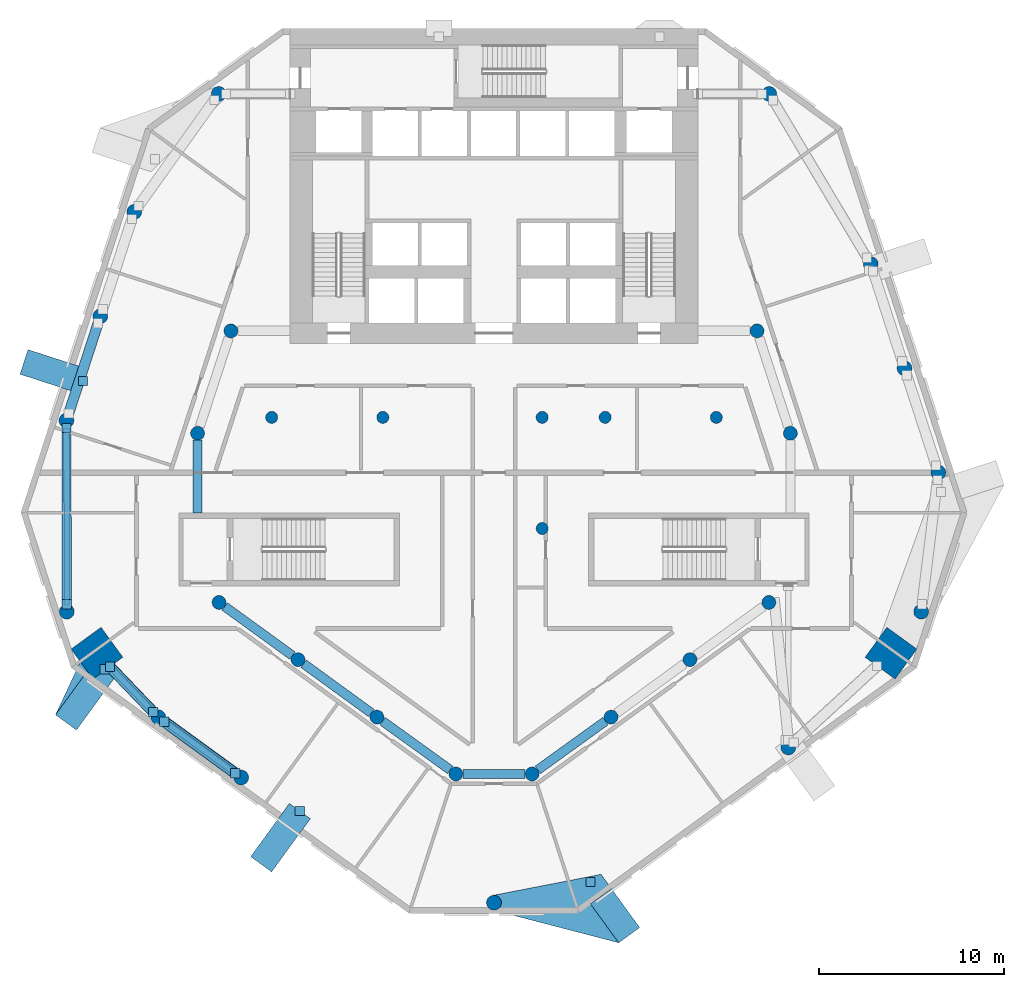
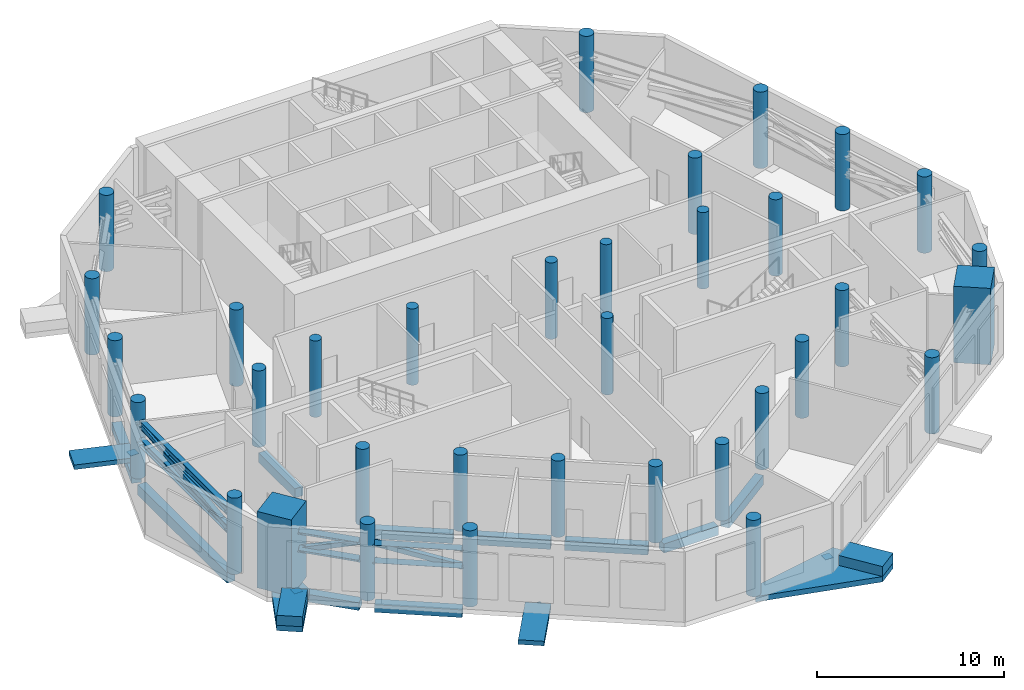
# One storey, part 1 of 15: 34 columns, 16 discrete accessories, 15 members, 10 beams.
"""IFC4 building model written with IfcOpenShell, lengths in metres."""

from ifc_helpers import new_model, si_unit, direction, frame, origin, origin_2d, place, context, subcontext, project, spatial, polyline, rectangle, hollow_rectangle, circle, i_section, outline, extrude, material, layer, layer_set, material_profile, profile_set, type_object, element, aggregate, save


model = new_model("IFC4")

# Units and contexts
model_context = context("Model", 3, precision=1e-05, world=origin(), true_north=direction((0.0, 1.0)))
body_context = subcontext(model_context, "Body", "Model", "MODEL_VIEW")
ifc_project = project(units=[si_unit("LENGTHUNIT", "METRE"), si_unit("AREAUNIT", "SQUARE_METRE"), si_unit("VOLUMEUNIT", "CUBIC_METRE"), si_unit("PLANEANGLEUNIT", "RADIAN"), si_unit("MASSUNIT", "GRAM", prefix="KILO")], contexts=[model_context])

# Site, building, storey
site_placement = place(None, origin())
site = spatial("IfcSite", under=ifc_project, at=site_placement, CompositionType="ELEMENT")
building_placement = place(site_placement, origin())
building = spatial("IfcBuilding", under=site, at=building_placement, Name="White Candle Pilgrim Tower", CompositionType="ELEMENT")
storey_placement = place(building_placement, frame((0.0, 0.0, 137.60009765625)))
storey = spatial("IfcBuildingStorey", under=building, at=storey_placement, Name="L31", CompositionType="ELEMENT", Elevation=137.60009765625)

# Columns
ifc_material_1 = material(Name="Concrete C80/95", Category="concrete")
ifc_material_profile_1 = material_profile(ifc_material_1, circle(Radius=0.324951171875, at=origin_2d()), Name="RC-COL D650")
ifc_profile_set_1 = profile_set([ifc_material_profile_1], Name="Concrete C80/95")
column_type_1 = type_object("IfcColumnType", Name="Interior column RC-COL D650 C80/95", PredefinedType="COLUMN", material=ifc_profile_set_1)
for number, where, z_axis, x_axis, name in (
    (1, (58.0, 67.0, 0.0), (0.0, 0.0, 1.0), (1.0, 0.0, 0.0), "L31 column I01"),
    (2, (64.0, 67.0, 0.0), (0.0, 0.0, 1.0), (1.0, 0.0, 0.0), "L31 column I02"),
    (3, (72.60009765625, 61.0, 0.0), (0.0, 0.0, 1.0), (1.0, 0.0, 0.0), "L31 column I03"),
    (4, (72.60009765625, 67.0, 0.0), (0.0, 0.0, 1.0), (1.0, 0.0, 0.0), "L31 column I04"),
    (5, (76.0, 67.0, 0.0), (0.0, 0.0, 1.0), (1.0, 0.0, 0.0), "L31 column I05"),
    (6, (82.0, 67.0, 0.0), (0.0, 0.0, 1.0), (1.0, 0.0, 0.0), "L31 column I06"),
):
    element("IfcColumn", number, at=place(storey_placement, frame(where, z_axis=z_axis, x_axis=x_axis)), inside=storey, type_object=column_type_1, Name=name, PredefinedType="COLUMN", context=body_context, shape_type="SweptSolid", body=[
        extrude(circle(Radius=0.324951171875, at=origin_2d()), origin(), (0.0, 0.0, 1.0), 5.0),
    ])
ifc_material_profile_2 = material_profile(ifc_material_1, rectangle(XDim=2.0, YDim=2.0, at=origin_2d()), Name="RC 2000x2000")
ifc_profile_set_2 = profile_set([ifc_material_profile_2], Name="Concrete C80/95")
column_type_2 = type_object("IfcColumnType", Name="Mega column RC 2000x2000 C80/95", PredefinedType="COLUMN", material=ifc_profile_set_2)
for number, where, z_axis, x_axis, name in (
    (7, (48.570068359375, 54.27001953125, 0.0), (0.0, 0.0, 1.0), (-0.809016994375, -0.587785252292, 0.0), "L31 mega column T02"),
    (8, (91.429931640625, 54.27001953125, 0.0), (0.0, 0.0, 1.0), (0.809016994375, -0.587785252292, 0.0), "L31 mega column T07"),
):
    element("IfcColumn", number, at=place(storey_placement, frame(where, z_axis=z_axis, x_axis=x_axis)), inside=storey, type_object=column_type_2, Name=name, PredefinedType="COLUMN", context=body_context, shape_type="SweptSolid", body=[
        extrude(rectangle(XDim=2.0, YDim=2.0, at=origin_2d()), origin(), (0.0, 0.0, 1.0), 5.0),
    ])
ifc_material_profile_3 = material_profile(ifc_material_1, circle(Radius=0.39990234375, at=origin_2d()), Name="RC-COL D800")
ifc_profile_set_3 = profile_set([ifc_material_profile_3], Name="Concrete C80/95")
column_type_3 = type_object("IfcColumnType", Name="Perimeter column RC-COL D800 C80/95", PredefinedType="COLUMN", material=ifc_profile_set_3)
for number, where, z_axis, x_axis, name in (
    (9, (46.93994140625, 56.510009765625, 0.0), (0.0, 0.0, 1.0), (1.0, 0.0, 0.0), "L31 column T01"),
    (10, (51.8798828125, 50.81005859375, 0.0), (0.0, 0.0, 1.0), (1.0, 0.0, 0.0), "L31 column T03"),
    (11, (56.35009765625, 47.56005859375, 0.0), (0.0, 0.0, 1.0), (1.0, 0.0, 0.0), "L31 column T04"),
    (12, (70.0, 40.800048828125, 0.0), (0.0, 0.0, 1.0), (1.0, 0.0, 0.0), "L31 column T05"),
    (13, (85.889892578125, 49.179931640625, 0.0), (0.0, 0.0, 1.0), (1.0, 0.0, 0.0), "L31 column T06"),
    (14, (93.06005859375, 56.510009765625, 0.0), (0.0, 0.0, 1.0), (1.0, 0.0, 0.0), "L31 column T08"),
    (15, (93.989990234375, 64.02001953125, 0.0), (0.0, 0.0, 1.0), (1.0, 0.0, 0.0), "L31 column T09"),
    (16, (92.159912109375, 69.64990234375, 0.0), (0.0, 0.0, 1.0), (1.0, 0.0, 0.0), "L31 column T10"),
    (17, (90.340087890625, 75.27001953125, 0.0), (0.0, 0.0, 1.0), (1.0, 0.0, 0.0), "L31 column T11"),
    (18, (84.860107421875, 84.4599609375, 0.0), (0.0, 0.0, 1.0), (1.0, 0.0, 0.0), "L31 column T12"),
    (19, (55.139892578125, 84.4599609375, 0.0), (0.0, 0.0, 1.0), (1.0, 0.0, 0.0), "L31 column T13"),
    (20, (50.580078125, 78.090087890625, 0.0), (0.0, 0.0, 1.0), (1.0, 0.0, 0.0), "L31 column T14"),
    (21, (48.75, 72.4599609375, 0.0), (0.0, 0.0, 1.0), (1.0, 0.0, 0.0), "L31 column T15"),
    (22, (46.919921875, 66.830078125, 0.0), (0.0, 0.0, 1.0), (1.0, 0.0, 0.0), "L31 column T16"),
):
    element("IfcColumn", number, at=place(storey_placement, frame(where, z_axis=z_axis, x_axis=x_axis)), inside=storey, type_object=column_type_3, Name=name, PredefinedType="COLUMN", context=body_context, shape_type="SweptSolid", body=[
        extrude(circle(Radius=0.39990234375, at=origin_2d()), origin(), (0.0, 0.0, 1.0), 5.0),
    ])
ifc_material_profile_4 = material_profile(ifc_material_1, circle(Radius=0.375, at=origin_2d()), Name="RC-COL D750")
ifc_profile_set_4 = profile_set([ifc_material_profile_4], Name="Concrete C80/95")
column_type_4 = type_object("IfcColumnType", Name="Ring column RC-COL D750 C80/95", PredefinedType="COLUMN", material=ifc_profile_set_4)
for number, where, z_axis, x_axis, name in (
    (23, (55.159912109375, 57.010009765625, 0.0), (0.0, 0.0, 1.0), (1.0, 0.0, 0.0), "L31 column R01"),
    (24, (59.419921875, 53.919921875, 0.0), (0.0, 0.0, 1.0), (1.0, 0.0, 0.0), "L31 column R02"),
    (25, (63.679931640625, 50.820068359375, 0.0), (0.0, 0.0, 1.0), (1.0, 0.0, 0.0), "L31 column R03"),
    (26, (67.93994140625, 47.75, 0.0), (0.0, 0.0, 1.0), (1.0, 0.0, 0.0), "L31 column R04"),
    (27, (72.06005859375, 47.75, 0.0), (0.0, 0.0, 1.0), (1.0, 0.0, 0.0), "L31 column R05"),
    (28, (76.320068359375, 50.820068359375, 0.0), (0.0, 0.0, 1.0), (1.0, 0.0, 0.0), "L31 column R06"),
    (29, (80.580078125, 53.919921875, 0.0), (0.0, 0.0, 1.0), (1.0, 0.0, 0.0), "L31 column R07"),
    (30, (84.840087890625, 57.010009765625, 0.0), (0.0, 0.0, 1.0), (1.0, 0.0, 0.0), "L31 column R08"),
    (31, (86.0, 66.139892578125, 0.0), (0.0, 0.0, 1.0), (1.0, 0.0, 0.0), "L31 column R09"),
    (32, (84.199951171875, 71.669921875, 0.0), (0.0, 0.0, 1.0), (1.0, 0.0, 0.0), "L31 column R10"),
    (33, (55.800048828125, 71.669921875, 0.0), (0.0, 0.0, 1.0), (1.0, 0.0, 0.0), "L31 column R11"),
    (34, (54.0, 66.139892578125, 0.0), (0.0, 0.0, 1.0), (1.0, 0.0, 0.0), "L31 column R12"),
):
    element("IfcColumn", number, at=place(storey_placement, frame(where, z_axis=z_axis, x_axis=x_axis)), inside=storey, type_object=column_type_4, Name=name, PredefinedType="COLUMN", context=body_context, shape_type="SweptSolid", body=[
        extrude(circle(Radius=0.375, at=origin_2d()), origin(), (0.0, 0.0, 1.0), 5.0),
    ])

# Member
ifc_material_2 = material(Name="Steel S355", Category="steel")
ifc_material_profile_5 = material_profile(ifc_material_2, i_section(OverallWidth=0.305908203125, OverallDepth=0.52392578125, WebThickness=0.02099609375, FlangeThickness=0.0400390625, FilletRadius=0.027099609375, at=origin_2d()), Name="HEM 500")
ifc_profile_set_5 = profile_set([ifc_material_profile_5], Name="Steel S355")
member_type_1 = type_object("IfcMemberType", Name="Belt truss chord HEM 500 S355", PredefinedType="CHORD", material=ifc_profile_set_5)
member_1_placement = place(storey_placement, frame((49.267578125, 53.540771484375, 2.411865234375), z_axis=(0.6912554522, -0.722610475847, 0.0), x_axis=(0.522159782824, 0.49950257969, 0.691264301179)))
member_1 = element("IfcMember", 35, at=member_1_placement, inside=storey, type_object=member_type_1, Name="L31 belt truss bottom chord 01", PredefinedType="CHORD", context=body_context, shape_type="SweptSolid", body=[
    extrude(i_section(OverallWidth=0.305908203125, OverallDepth=0.52392578125, WebThickness=0.02099609375, FlangeThickness=0.0400390625, FilletRadius=0.027099609375, at=origin_2d()), origin(), (0.0, 0.0, 1.0), 3.379150390625),
])

member_2_placement = place(storey_placement, frame((49.267578125, 53.540771484375, 3.577880859375), z_axis=(0.6912554522, -0.722610475847, 0.0), x_axis=(0.522159782824, 0.49950257969, 0.691264301179)))
member_2 = element("IfcMember", 36, at=member_2_placement, inside=storey, type_object=member_type_1, Name="L31 belt truss top chord 01", PredefinedType="CHORD", context=body_context, shape_type="SweptSolid", body=[
    extrude(i_section(OverallWidth=0.305908203125, OverallDepth=0.52392578125, WebThickness=0.02099609375, FlangeThickness=0.0400390625, FilletRadius=0.027099609375, at=origin_2d()), origin(), (0.0, 0.0, 1.0), 3.379150390625),
])

member_3_placement = place(storey_placement, frame((52.203369140625, 50.574951171875, 2.411865234375), z_axis=(0.808812014489, -0.5880672795, 0.0), x_axis=(0.345826829595, 0.475640975888, 0.80880743443)))
member_3 = element("IfcMember", 37, at=member_3_placement, inside=storey, type_object=member_type_1, Name="L31 belt truss bottom chord 02", PredefinedType="CHORD", context=body_context, shape_type="SweptSolid", body=[
    extrude(i_section(OverallWidth=0.305908203125, OverallDepth=0.52392578125, WebThickness=0.02099609375, FlangeThickness=0.0400390625, FilletRadius=0.027099609375, at=origin_2d()), origin(), (0.0, 0.0, 1.0), 4.72705078125),
])

member_4_placement = place(storey_placement, frame((52.203369140625, 50.574951171875, 3.577880859375), z_axis=(0.808812014489, -0.5880672795, 0.0), x_axis=(0.345826829595, 0.475640975888, 0.80880743443)))
member_4 = element("IfcMember", 38, at=member_4_placement, inside=storey, type_object=member_type_1, Name="L31 belt truss top chord 02", PredefinedType="CHORD", context=body_context, shape_type="SweptSolid", body=[
    extrude(i_section(OverallWidth=0.305908203125, OverallDepth=0.52392578125, WebThickness=0.02099609375, FlangeThickness=0.0400390625, FilletRadius=0.027099609375, at=origin_2d()), origin(), (0.0, 0.0, 1.0), 4.72705078125),
])

member_5_placement = place(storey_placement, frame((46.9208984375, 66.429931640625, 2.411865234375), z_axis=(0.001923369269, -0.999998150324, 0.0), x_axis=(0.999996282526, 0.001923365677, 0.001932769499)))
member_5 = element("IfcMember", 39, at=member_5_placement, inside=storey, type_object=member_type_1, Name="L31 belt truss bottom chord 14", PredefinedType="CHORD", context=body_context, shape_type="SweptSolid", body=[
    extrude(i_section(OverallWidth=0.305908203125, OverallDepth=0.52392578125, WebThickness=0.02099609375, FlangeThickness=0.0400390625, FilletRadius=0.027099609375, at=origin_2d()), origin(), (0.0, 0.0, 1.0), 9.52001953125),
])

member_6_placement = place(storey_placement, frame((46.9208984375, 66.429931640625, 3.577880859375), z_axis=(0.001923369269, -0.999998150324, 0.0), x_axis=(0.999996282526, 0.001923365677, 0.001932769499)))
member_6 = element("IfcMember", 40, at=member_6_placement, inside=storey, type_object=member_type_1, Name="L31 belt truss top chord 14", PredefinedType="CHORD", context=body_context, shape_type="SweptSolid", body=[
    extrude(i_section(OverallWidth=0.305908203125, OverallDepth=0.52392578125, WebThickness=0.02099609375, FlangeThickness=0.0400390625, FilletRadius=0.027099609375, at=origin_2d()), origin(), (0.0, 0.0, 1.0), 9.52001953125),
])

# Members
ifc_material_profile_6 = material_profile(ifc_material_2, hollow_rectangle(XDim=0.300048828125, YDim=0.300048828125, WallThickness=0.01611328125, at=origin_2d()), Name="SHS 300x300x16")
ifc_profile_set_6 = profile_set([ifc_material_profile_6], Name="Steel S355")
member_type_2 = type_object("IfcMemberType", Name="Belt truss diagonal SHS 300x300x16 S355", PredefinedType="BRACE", material=ifc_profile_set_6)
member_7_placement = place(storey_placement, frame((49.267578125, 53.540771484375, 2.411865234375), z_axis=(0.653449474602, -0.683089636807, 0.326178374864), x_axis=(0.722610475847, 0.6912554522, 0.0)))
element("IfcMember", 41, at=member_7_placement, inside=storey, type_object=member_type_2, Name="L31 belt truss diagonal 01", PredefinedType="BRACE", context=body_context, shape_type="SweptSolid", body=[
    extrude(hollow_rectangle(XDim=0.300048828125, YDim=0.300048828125, WallThickness=0.01611328125, at=origin_2d()), origin(), (0.0, 0.0, 1.0), 3.57470703125),
])
member_8_placement = place(storey_placement, frame((52.203369140625, 50.574951171875, 3.577880859375), z_axis=(0.785273939435, -0.570953325313, -0.239493507966), x_axis=(0.5880672795, 0.808812014489, 0.0)))
element("IfcMember", 42, at=member_8_placement, inside=storey, type_object=member_type_2, Name="L31 belt truss diagonal 02", PredefinedType="BRACE", context=body_context, shape_type="SweptSolid", body=[
    extrude(hollow_rectangle(XDim=0.300048828125, YDim=0.300048828125, WallThickness=0.01611328125, at=origin_2d()), origin(), (0.0, 0.0, 1.0), 4.86865234375),
])
member_9_placement = place(storey_placement, frame((46.9208984375, 66.429931640625, 3.577880859375), z_axis=(0.001909102976, -0.992580819156, -0.121571677496), x_axis=(0.999998150324, 0.001923369269, 0.0)))
element("IfcMember", 43, at=member_9_placement, inside=storey, type_object=member_type_2, Name="L31 belt truss diagonal 14", PredefinedType="BRACE", context=body_context, shape_type="SweptSolid", body=[
    extrude(hollow_rectangle(XDim=0.300048828125, YDim=0.300048828125, WallThickness=0.01611328125, at=origin_2d()), origin(), (0.0, 0.0, 1.0), 9.591064453125),
])

# Member
ifc_material_3 = material(Name="Concrete C70/85, white", Category="concrete")
ifc_layer_1 = layer(ifc_material_3, 0.300048828125)
ifc_layer_set_1 = layer_set([ifc_layer_1], Name="Node tie strut 3350x1400x300 C70/85")
member_type_3 = type_object("IfcMemberType", Name="Node tie strut 3350x1400x300 C70/85", PredefinedType="STRUT", material=ifc_layer_set_1)
member_10_placement = place(storey_placement, frame((46.222900390625, 69.4755859375, -0.30029296875), z_axis=(0.0, 0.0, 1.0), x_axis=(-0.309016994375, -0.951056516295, 0.0)))
member_10 = element("IfcMember", 44, at=member_10_placement, inside=storey, type_object=member_type_3, Name="Node tie strut NC100", PredefinedType="STRUT", context=body_context, shape_type="SweptSolid", body=[
    extrude(rectangle(XDim=1.39990234375, YDim=3.35009765625, at=origin_2d()), origin(), (0.0, 0.0, 1.0), 0.300048828125),
])

ifc_layer_2 = layer(ifc_material_3, 0.300048828125)
ifc_layer_set_2 = layer_set([ifc_layer_2], Name="Node tie strut 3550x1400x300 C70/85")
member_type_4 = type_object("IfcMemberType", Name="Node tie strut 3550x1400x300 C70/85", PredefinedType="STRUT", material=ifc_layer_set_2)
member_11_placement = place(storey_placement, frame((0.0, 0.0, -0.35009765625)))
member_11 = element("IfcMember", 45, at=member_11_placement, inside=storey, type_object=member_type_4, Name="Node tie strut NC095", PredefinedType="STRUT", context=body_context, shape_type="SweptSolid", body=[
    extrude(outline(polyline([(76.734619140625, 38.634765625), (77.8671875, 39.45751953125), (75.780517578125, 42.32958984375), (69.922119140625, 41.1923828125), (69.94775390625, 41.196533203125), (69.973876953125, 41.19921875), (70.0, 41.199951171875), (70.026123046875, 41.19921875), (70.05224609375, 41.196533203125), (70.077880859375, 41.1923828125), (70.103515625, 41.186279296875), (70.128662109375, 41.1787109375), (70.153076171875, 41.169677734375), (70.177001953125, 41.15869140625), (70.199951171875, 41.146484375), (70.22216796875, 41.132568359375), (70.243408203125, 41.1171875), (70.263671875, 41.1005859375), (70.28271484375, 41.082763671875), (70.30078125, 41.063720703125), (70.3173828125, 41.04345703125), (70.33251953125, 41.022216796875), (70.346435546875, 41.0), (70.358642578125, 40.976806640625), (70.36962890625, 40.953125), (70.37890625, 40.9287109375), (70.386474609375, 40.903564453125), (70.392333984375, 40.8779296875), (70.396484375, 40.852294921875), (70.399169921875, 40.826171875), (70.39990234375, 40.800048828125), (70.399169921875, 40.773681640625), (70.396484375, 40.747802734375), (70.392333984375, 40.721923828125), (70.386474609375, 40.696533203125), (70.37890625, 40.67138671875), (70.36962890625, 40.64697265625), (70.358642578125, 40.623046875), (70.346435546875, 40.60009765625), (70.33251953125, 40.577880859375), (70.3173828125, 40.556396484375), (70.30078125, 40.536376953125), (70.28271484375, 40.51708984375), (70.263671875, 40.499267578125), (70.243408203125, 40.482666015625), (70.22216796875, 40.46728515625), (70.199951171875, 40.45361328125), (70.177001953125, 40.44140625), (70.153076171875, 40.430419921875), (70.128662109375, 40.421142578125), (70.103515625, 40.41357421875), (70.077880859375, 40.40771484375), (70.05224609375, 40.4033203125), (70.026123046875, 40.40087890625), (70.0, 40.39990234375), (69.973876953125, 40.40087890625), (69.94775390625, 40.4033203125), (69.922119140625, 40.40771484375), (69.896484375, 40.41357421875), (76.734619140625, 38.634765625)])), origin(), (0.0, 0.0, 1.0), 0.35009765625),
])

member_12_placement = place(storey_placement, origin())
element("IfcMember", 46, at=member_12_placement, inside=storey, type_object=member_type_4, Name="Node tie strut NC095", PredefinedType="STRUT", context=body_context, shape_type="SweptSolid", body=[
    extrude(outline(polyline([(76.734619140625, 38.634765625), (77.8671875, 39.45751953125), (76.3388671875, 41.56103515625), (75.206298828125, 40.73828125), (76.734619140625, 38.634765625)])), origin(), (0.0, 0.0, 1.0), 0.64990234375),
])

member_13_placement = place(storey_placement, frame((0.0, 0.0, -0.35009765625)))
member_13 = element("IfcMember", 47, at=member_13_placement, inside=storey, type_object=member_type_4, Name="Node tie strut NC097", PredefinedType="STRUT", context=body_context, shape_type="SweptSolid", body=[
    extrude(outline(polyline([(47.46142578125, 50.116943359375), (49.548095703125, 52.989013671875), (49.53857421875, 53.737548828125), (48.348876953125, 52.873291015625), (47.670166015625, 53.80712890625), (46.328857421875, 50.93994140625), (47.46142578125, 50.116943359375)])), origin(), (0.0, 0.0, 1.0), 0.35009765625),
])

member_14_placement = place(storey_placement, origin())
element("IfcMember", 48, at=member_14_placement, inside=storey, type_object=member_type_4, Name="Node tie strut NC097", PredefinedType="STRUT", context=body_context, shape_type="SweptSolid", body=[
    extrude(outline(polyline([(47.46142578125, 50.116943359375), (48.989501953125, 52.220458984375), (47.85693359375, 53.04345703125), (46.328857421875, 50.93994140625), (47.46142578125, 50.116943359375)])), origin(), (0.0, 0.0, 1.0), 0.64990234375),
])

member_15_placement = place(storey_placement, frame((58.474365234375, 44.3095703125, -0.30029296875), z_axis=(0.0, 0.0, 1.0), x_axis=(0.809016994375, -0.587785252292, 0.0)))
member_15 = element("IfcMember", 49, at=member_15_placement, inside=storey, type_object=member_type_4, Name="Node tie strut NC098", PredefinedType="STRUT", context=body_context, shape_type="SweptSolid", body=[
    extrude(rectangle(XDim=1.39990234375, YDim=3.550048828125, at=origin_2d()), origin(), (0.0, 0.0, 1.0), 0.300048828125),
])

# Beams
ifc_material_4 = material(Name="Concrete C50/60", Category="concrete")
ifc_material_profile_7 = material_profile(ifc_material_4, rectangle(XDim=0.5, YDim=0.60009765625, at=origin_2d()), Name="RC-BM 500x600")
ifc_profile_set_7 = profile_set([ifc_material_profile_7], Name="Concrete C50/60")
beam_type_1 = type_object("IfcBeamType", Name="Ring beam RC-BM 500x600 C50/60", PredefinedType="BEAM", material=ifc_profile_set_7)
beam_1_placement = place(storey_placement, frame((55.46337890625, 56.789794921875, -0.60009765625), z_axis=(0.809505029053, -0.587112943084, 0.0), x_axis=(0.587112943084, 0.809505029053, 0.0)))
element("IfcBeam", 50, at=beam_1_placement, inside=storey, type_object=beam_type_1, Name="L31 ring beam R01", PredefinedType="BEAM", context=body_context, shape_type="SweptSolid", body=[
    extrude(rectangle(XDim=0.5, YDim=0.60009765625, at=origin_2d()), origin(), (0.0, 0.0, 1.0), 4.512939453125),
])
beam_2_placement = place(storey_placement, frame((59.72314453125, 53.699462890625, -0.60009765625), z_axis=(0.808565500751, -0.588406178583, 0.0), x_axis=(0.588406178583, 0.808565500751, 0.0)))
element("IfcBeam", 51, at=beam_2_placement, inside=storey, type_object=beam_type_1, Name="L31 ring beam R02", PredefinedType="BEAM", context=body_context, shape_type="SweptSolid", body=[
    extrude(rectangle(XDim=0.5, YDim=0.60009765625, at=origin_2d()), origin(), (0.0, 0.0, 1.0), 4.518798828125),
])
beam_3_placement = place(storey_placement, frame((63.984130859375, 50.600830078125, -0.60009765625), z_axis=(0.811270905805, -0.584670434856, 0.0), x_axis=(0.584670434856, 0.811270905805, 0.0)))
element("IfcBeam", 52, at=beam_3_placement, inside=storey, type_object=beam_type_1, Name="L31 ring beam R03", PredefinedType="BEAM", context=body_context, shape_type="SweptSolid", body=[
    extrude(rectangle(XDim=0.5, YDim=0.60009765625, at=origin_2d()), origin(), (0.0, 0.0, 1.0), 4.50146484375),
])
beam_4_placement = place(storey_placement, frame((68.31494140625, 47.75, -0.60009765625), z_axis=(1.0, 0.0, 0.0), x_axis=(0.0, 1.0, 0.0)))
element("IfcBeam", 53, at=beam_4_placement, inside=storey, type_object=beam_type_1, Name="L31 ring beam R04", PredefinedType="BEAM", context=body_context, shape_type="SweptSolid", body=[
    extrude(rectangle(XDim=0.5, YDim=0.60009765625, at=origin_2d()), origin(), (0.0, 0.0, 1.0), 3.3701171875),
])
beam_5_placement = place(storey_placement, frame((72.364013671875, 47.968994140625, -0.60009765625), z_axis=(0.811270905805, 0.584670434856, 0.0), x_axis=(-0.584670434856, 0.811270905805, 0.0)))
element("IfcBeam", 54, at=beam_5_placement, inside=storey, type_object=beam_type_1, Name="L31 ring beam R05", PredefinedType="BEAM", context=body_context, shape_type="SweptSolid", body=[
    extrude(rectangle(XDim=0.5, YDim=0.60009765625, at=origin_2d()), origin(), (0.0, 0.0, 1.0), 4.50146484375),
])
beam_6_placement = place(storey_placement, frame((54.0, 65.764892578125, -0.60009765625), z_axis=(0.0, -1.0, 0.0), x_axis=(1.0, 0.0, 0.0)))
element("IfcBeam", 55, at=beam_6_placement, inside=storey, type_object=beam_type_1, Name="L31 ring beam R13", PredefinedType="BEAM", context=body_context, shape_type="SweptSolid", body=[
    extrude(rectangle(XDim=0.5, YDim=0.60009765625, at=origin_2d()), origin(), (0.0, 0.0, 1.0), 3.914794921875),
])
ifc_material_profile_8 = material_profile(ifc_material_4, rectangle(XDim=0.5, YDim=0.699951171875, at=origin_2d()), Name="RC-BM 500x700")
ifc_profile_set_8 = profile_set([ifc_material_profile_8], Name="Concrete C50/60")
beam_type_2 = type_object("IfcBeamType", Name="Spandrel beam RC-BM 500x700 C50/60", PredefinedType="BEAM", material=ifc_profile_set_8)
beam_7_placement = place(storey_placement, frame((46.9208984375, 66.429931640625, -0.650146484375), z_axis=(0.001923369269, -0.999998150324, 0.0), x_axis=(0.999998150324, 0.001923369269, 0.0)))
element("IfcBeam", 56, at=beam_7_placement, inside=storey, type_object=beam_type_2, Name="L31 spandrel beam T14", PredefinedType="BEAM", context=body_context, shape_type="SweptSolid", body=[
    extrude(rectangle(XDim=0.5, YDim=0.699951171875, at=origin_2d()), origin(), (0.0, 0.0, 1.0), 9.52001953125),
])
ifc_material_profile_9 = material_profile(ifc_material_4, rectangle(XDim=0.550048828125, YDim=0.5, at=origin_2d()), Name="RC-BM 550x500")
ifc_profile_set_9 = profile_set([ifc_material_profile_9], Name="Concrete C50/60")
beam_type_3 = type_object("IfcBeamType", Name="Spandrel beam RC-BM 550x500 C50/60", PredefinedType="BEAM", material=ifc_profile_set_9)
beam_8_placement = place(storey_placement, frame((49.267578125, 53.540771484375, -0.550048828125), z_axis=(0.6912554522, -0.722610475847, 0.0), x_axis=(0.722610475847, 0.6912554522, 0.0)))
element("IfcBeam", 57, at=beam_8_placement, inside=storey, type_object=beam_type_3, Name="L31 spandrel beam T01", PredefinedType="BEAM", context=body_context, shape_type="SweptSolid", body=[
    extrude(rectangle(XDim=0.550048828125, YDim=0.5, at=origin_2d()), origin(), (0.0, 0.0, 1.0), 3.379150390625),
])
beam_9_placement = place(storey_placement, frame((52.203369140625, 50.574951171875, -0.550048828125), z_axis=(0.808812014489, -0.5880672795, 0.0), x_axis=(0.5880672795, 0.808812014489, 0.0)))
element("IfcBeam", 58, at=beam_9_placement, inside=storey, type_object=beam_type_3, Name="L31 spandrel beam T02", PredefinedType="BEAM", context=body_context, shape_type="SweptSolid", body=[
    extrude(rectangle(XDim=0.550048828125, YDim=0.5, at=origin_2d()), origin(), (0.0, 0.0, 1.0), 4.72705078125),
])
beam_10_placement = place(storey_placement, frame((48.62646484375, 72.07958984375, -0.550048828125), z_axis=(-0.309123808161, -0.95102180376, 0.0), x_axis=(0.95102180376, -0.309123808161, 0.0)))
element("IfcBeam", 59, at=beam_10_placement, inside=storey, type_object=beam_type_3, Name="L31 spandrel beam T13", PredefinedType="BEAM", context=body_context, shape_type="SweptSolid", body=[
    extrude(rectangle(XDim=0.550048828125, YDim=0.5, at=origin_2d()), origin(), (0.0, 0.0, 1.0), 5.1201171875),
])

# Discrete accessory
ifc_layer_3 = layer(ifc_material_2, 0.02490234375)
ifc_layer_set_3 = layer_set([ifc_layer_3], Name="Gusset plate 500x500x25 S355")
discrete_accessory_type = type_object("IfcDiscreteAccessoryType", Name="Gusset plate 500x500x25 S355", PredefinedType="BRACKET", material=ifc_layer_set_3)
discrete_accessory_1_placement = place(storey_placement, frame((75.214111328125, 41.918212890625, -0.16259765625), z_axis=(0.0, 0.0, 1.0), x_axis=(1.0, 0.0, 0.0)))
discrete_accessory_1 = element("IfcDiscreteAccessory", 60, at=discrete_accessory_1_placement, type_object=discrete_accessory_type, Name="Gusset plate 0476", PredefinedType="BRACKET", context=body_context, shape_type="SweptSolid", body=[
    extrude(rectangle(XDim=0.5, YDim=0.5, at=origin_2d()), origin(), (0.0, 0.0, 1.0), 0.02490234375),
])

aggregate(member_11, [discrete_accessory_1])

discrete_accessory_2_placement = place(storey_placement, frame((48.981689453125, 53.400390625, -0.16259765625), z_axis=(0.0, 0.0, 1.0), x_axis=(1.0, 0.0, 0.0)))
discrete_accessory_2 = element("IfcDiscreteAccessory", 61, at=discrete_accessory_2_placement, type_object=discrete_accessory_type, Name="Gusset plate 0478", PredefinedType="BRACKET", context=body_context, shape_type="SweptSolid", body=[
    extrude(rectangle(XDim=0.5, YDim=0.5, at=origin_2d()), origin(), (0.0, 0.0, 1.0), 0.02490234375),
])

aggregate(member_13, [discrete_accessory_2])

discrete_accessory_3_placement = place(storey_placement, frame((59.517578125, 45.74560546875, -0.16259765625), z_axis=(0.0, 0.0, 1.0), x_axis=(1.0, 0.0, 0.0)))
discrete_accessory_3 = element("IfcDiscreteAccessory", 62, at=discrete_accessory_3_placement, type_object=discrete_accessory_type, Name="Gusset plate 0479", PredefinedType="BRACKET", context=body_context, shape_type="SweptSolid", body=[
    extrude(rectangle(XDim=0.5, YDim=0.5, at=origin_2d()), origin(), (0.0, 0.0, 1.0), 0.02490234375),
])

aggregate(member_15, [discrete_accessory_3])

discrete_accessory_4_placement = place(storey_placement, frame((47.81591796875, 68.9580078125, -0.16259765625), z_axis=(0.0, 0.0, 1.0), x_axis=(1.0, 0.0, 0.0)))
discrete_accessory_4 = element("IfcDiscreteAccessory", 63, at=discrete_accessory_4_placement, type_object=discrete_accessory_type, Name="Gusset plate 0481", PredefinedType="BRACKET", context=body_context, shape_type="SweptSolid", body=[
    extrude(rectangle(XDim=0.5, YDim=0.5, at=origin_2d()), origin(), (0.0, 0.0, 1.0), 0.02490234375),
])

aggregate(member_10, [discrete_accessory_4])

discrete_accessory_5_placement = place(storey_placement, frame((49.267578125, 53.540771484375, 2.3994140625), z_axis=(0.0, 0.0, 1.0), x_axis=(1.0, 0.0, 0.0)))
discrete_accessory_5 = element("IfcDiscreteAccessory", 64, at=discrete_accessory_5_placement, type_object=discrete_accessory_type, Name="Gusset plate 0722", PredefinedType="BRACKET", context=body_context, shape_type="SweptSolid", body=[
    extrude(rectangle(XDim=0.5, YDim=0.5, at=origin_2d()), origin(), (0.0, 0.0, 1.0), 0.02490234375),
])

discrete_accessory_6_placement = place(storey_placement, frame((51.603515625, 51.098876953125, 2.3994140625), z_axis=(0.0, 0.0, 1.0), x_axis=(1.0, 0.0, 0.0)))
discrete_accessory_6 = element("IfcDiscreteAccessory", 65, at=discrete_accessory_6_placement, type_object=discrete_accessory_type, Name="Gusset plate 0723", PredefinedType="BRACKET", context=body_context, shape_type="SweptSolid", body=[
    extrude(rectangle(XDim=0.5, YDim=0.5, at=origin_2d()), origin(), (0.0, 0.0, 1.0), 0.02490234375),
])

aggregate(member_1, [discrete_accessory_5, discrete_accessory_6])

discrete_accessory_7_placement = place(storey_placement, frame((49.267578125, 53.540771484375, 3.5654296875), z_axis=(0.0, 0.0, 1.0), x_axis=(1.0, 0.0, 0.0)))
discrete_accessory_7 = element("IfcDiscreteAccessory", 66, at=discrete_accessory_7_placement, type_object=discrete_accessory_type, Name="Gusset plate 0724", PredefinedType="BRACKET", context=body_context, shape_type="SweptSolid", body=[
    extrude(rectangle(XDim=0.5, YDim=0.5, at=origin_2d()), origin(), (0.0, 0.0, 1.0), 0.02490234375),
])

discrete_accessory_8_placement = place(storey_placement, frame((51.603515625, 51.098876953125, 3.5654296875), z_axis=(0.0, 0.0, 1.0), x_axis=(1.0, 0.0, 0.0)))
discrete_accessory_8 = element("IfcDiscreteAccessory", 67, at=discrete_accessory_8_placement, type_object=discrete_accessory_type, Name="Gusset plate 0725", PredefinedType="BRACKET", context=body_context, shape_type="SweptSolid", body=[
    extrude(rectangle(XDim=0.5, YDim=0.5, at=origin_2d()), origin(), (0.0, 0.0, 1.0), 0.02490234375),
])

aggregate(member_2, [discrete_accessory_7, discrete_accessory_8])

discrete_accessory_9_placement = place(storey_placement, frame((52.203369140625, 50.574951171875, 2.3994140625), z_axis=(0.0, 0.0, 1.0), x_axis=(1.0, 0.0, 0.0)))
discrete_accessory_9 = element("IfcDiscreteAccessory", 68, at=discrete_accessory_9_placement, type_object=discrete_accessory_type, Name="Gusset plate 0726", PredefinedType="BRACKET", context=body_context, shape_type="SweptSolid", body=[
    extrude(rectangle(XDim=0.5, YDim=0.5, at=origin_2d()), origin(), (0.0, 0.0, 1.0), 0.02490234375),
])

discrete_accessory_10_placement = place(storey_placement, frame((56.026611328125, 47.795166015625, 2.3994140625), z_axis=(0.0, 0.0, 1.0), x_axis=(1.0, 0.0, 0.0)))
discrete_accessory_10 = element("IfcDiscreteAccessory", 69, at=discrete_accessory_10_placement, type_object=discrete_accessory_type, Name="Gusset plate 0727", PredefinedType="BRACKET", context=body_context, shape_type="SweptSolid", body=[
    extrude(rectangle(XDim=0.5, YDim=0.5, at=origin_2d()), origin(), (0.0, 0.0, 1.0), 0.02490234375),
])

aggregate(member_3, [discrete_accessory_9, discrete_accessory_10])

discrete_accessory_11_placement = place(storey_placement, frame((52.203369140625, 50.574951171875, 3.5654296875), z_axis=(0.0, 0.0, 1.0), x_axis=(1.0, 0.0, 0.0)))
discrete_accessory_11 = element("IfcDiscreteAccessory", 70, at=discrete_accessory_11_placement, type_object=discrete_accessory_type, Name="Gusset plate 0728", PredefinedType="BRACKET", context=body_context, shape_type="SweptSolid", body=[
    extrude(rectangle(XDim=0.5, YDim=0.5, at=origin_2d()), origin(), (0.0, 0.0, 1.0), 0.02490234375),
])

discrete_accessory_12_placement = place(storey_placement, frame((56.026611328125, 47.795166015625, 3.5654296875), z_axis=(0.0, 0.0, 1.0), x_axis=(1.0, 0.0, 0.0)))
discrete_accessory_12 = element("IfcDiscreteAccessory", 71, at=discrete_accessory_12_placement, type_object=discrete_accessory_type, Name="Gusset plate 0729", PredefinedType="BRACKET", context=body_context, shape_type="SweptSolid", body=[
    extrude(rectangle(XDim=0.5, YDim=0.5, at=origin_2d()), origin(), (0.0, 0.0, 1.0), 0.02490234375),
])

aggregate(member_4, [discrete_accessory_11, discrete_accessory_12])

discrete_accessory_13_placement = place(storey_placement, frame((46.9208984375, 66.429931640625, 2.3994140625), z_axis=(0.0, 0.0, 1.0), x_axis=(1.0, 0.0, 0.0)))
discrete_accessory_13 = element("IfcDiscreteAccessory", 72, at=discrete_accessory_13_placement, type_object=discrete_accessory_type, Name="Gusset plate 0774", PredefinedType="BRACKET", context=body_context, shape_type="SweptSolid", body=[
    extrude(rectangle(XDim=0.5, YDim=0.5, at=origin_2d()), origin(), (0.0, 0.0, 1.0), 0.02490234375),
])

discrete_accessory_14_placement = place(storey_placement, frame((46.939208984375, 56.909912109375, 2.3994140625), z_axis=(0.0, 0.0, 1.0), x_axis=(1.0, 0.0, 0.0)))
discrete_accessory_14 = element("IfcDiscreteAccessory", 73, at=discrete_accessory_14_placement, type_object=discrete_accessory_type, Name="Gusset plate 0775", PredefinedType="BRACKET", context=body_context, shape_type="SweptSolid", body=[
    extrude(rectangle(XDim=0.5, YDim=0.5, at=origin_2d()), origin(), (0.0, 0.0, 1.0), 0.02490234375),
])

aggregate(member_5, [discrete_accessory_13, discrete_accessory_14])

discrete_accessory_15_placement = place(storey_placement, frame((46.9208984375, 66.429931640625, 3.5654296875), z_axis=(0.0, 0.0, 1.0), x_axis=(1.0, 0.0, 0.0)))
discrete_accessory_15 = element("IfcDiscreteAccessory", 74, at=discrete_accessory_15_placement, type_object=discrete_accessory_type, Name="Gusset plate 0776", PredefinedType="BRACKET", context=body_context, shape_type="SweptSolid", body=[
    extrude(rectangle(XDim=0.5, YDim=0.5, at=origin_2d()), origin(), (0.0, 0.0, 1.0), 0.02490234375),
])

discrete_accessory_16_placement = place(storey_placement, frame((46.939208984375, 56.909912109375, 3.5654296875), z_axis=(0.0, 0.0, 1.0), x_axis=(1.0, 0.0, 0.0)))
discrete_accessory_16 = element("IfcDiscreteAccessory", 75, at=discrete_accessory_16_placement, type_object=discrete_accessory_type, Name="Gusset plate 0777", PredefinedType="BRACKET", context=body_context, shape_type="SweptSolid", body=[
    extrude(rectangle(XDim=0.5, YDim=0.5, at=origin_2d()), origin(), (0.0, 0.0, 1.0), 0.02490234375),
])

aggregate(member_6, [discrete_accessory_15, discrete_accessory_16])

save(model, "model.ifc")
